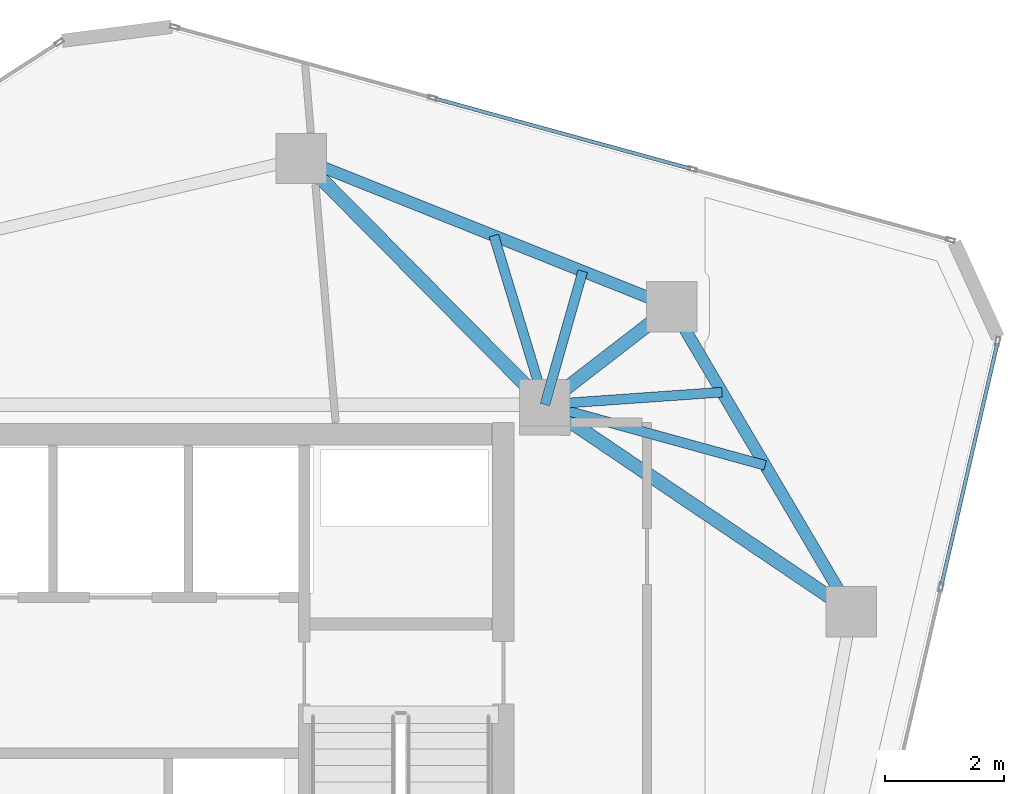
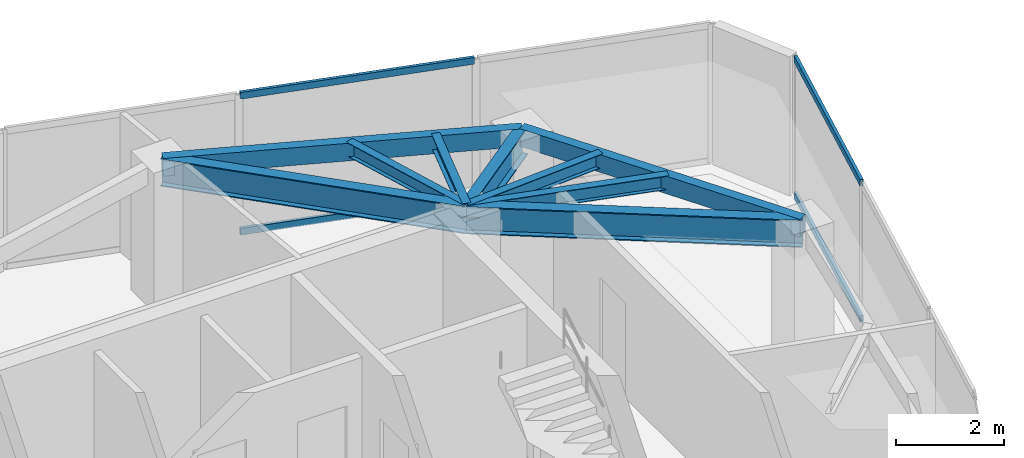
# One storey, part 13 of 20: 9 beams, 4 members, 2 elements without a shape of their own.
"""IFC4 building model written with IfcOpenShell, lengths in metres."""

import ifcopenshell
import ifcopenshell.guid

model = None  # the IFC model being written
_history = None  # IfcOwnerHistory: only IFC2X3 demands one
_inside = {}  # id of a spatial element -> (the spatial element, [elements in it])
_under = {}  # id of a project, library or spatial element -> (it, [spatial elements below it])
_declared = {}  # id of a project -> (the project, [libraries it declares])
_typed = {}  # id of a type object -> (the type object, [elements of that type])
_made_of = {}  # id of a material, layer set ... -> (it, [elements and type objects made of it])


def new_model(schema):
    """Start an empty IFC model of exactly this schema.

    Asked for "IFC4X3", IfcOpenShell would pick the latest addendum, in which some entities
    have other attributes; the version numbers below select the first issue.
    IFC2X3 requires an IfcOwnerHistory on every rooted entity: one is made here for all.
    """
    global model, _history
    if schema == "IFC4X3":
        model = ifcopenshell.file(schema_version=(4, 3, 0, 0))
    else:
        model = ifcopenshell.file(schema=schema)
    _inside.clear()
    _under.clear()
    _declared.clear()
    _typed.clear()
    _made_of.clear()
    _history = None
    if model.schema == "IFC2X3":
        org = make("IfcOrganization", Name="unknown")
        user = make(
            "IfcPersonAndOrganization",
            ThePerson=make("IfcPerson", FamilyName="unknown"),
            TheOrganization=org,
        )
        app = make(
            "IfcApplication",
            ApplicationDeveloper=org,
            Version="unknown",
            ApplicationFullName="unknown",
            ApplicationIdentifier="unknown",
        )
        _history = make(
            "IfcOwnerHistory",
            OwningUser=user,
            OwningApplication=app,
            ChangeAction="ADDED",
            CreationDate=0,
        )
    return model


def make(cls, **values):
    """One entity of the class cls with the attributes given. An attribute that is None is left unset."""
    return model.create_entity(
        cls, **{name: value for name, value in values.items() if value is not None}
    )


def rooted(cls, **values):
    """An entity with a GlobalId (a new one), such as an element, a storey or a relation."""
    return make(cls, GlobalId=ifcopenshell.guid.new(), OwnerHistory=_history, **values)


def si_unit(unit_type, name, prefix=None):
    """IfcSIUnit, for example si_unit("LENGTHUNIT", "METRE", prefix="MILLI")."""
    return make("IfcSIUnit", UnitType=unit_type, Prefix=prefix, Name=name)


def assignment(units):
    """IfcUnitAssignment: the units of a project."""
    return None if units is None else make("IfcUnitAssignment", Units=units)


def point(xyz):
    """IfcCartesianPoint."""
    return None if xyz is None else make("IfcCartesianPoint", Coordinates=xyz)


def direction(xyz):
    """IfcDirection."""
    return None if xyz is None else make("IfcDirection", DirectionRatios=xyz)


def frame(location, z_axis=None, x_axis=None):
    """IfcAxis2Placement3D, a coordinate frame: its origin and axes. An axis left out is left unset."""
    return make(
        "IfcAxis2Placement3D",
        Location=point(location),
        Axis=direction(z_axis),
        RefDirection=direction(x_axis),
    )


def frame_2d(location, x_axis=None):
    """IfcAxis2Placement2D, a coordinate frame in the plane: its origin and x axis."""
    return make(
        "IfcAxis2Placement2D", Location=point(location), RefDirection=direction(x_axis)
    )


def origin():
    """The frame at (0, 0, 0) with its axes left unset."""
    return frame((0.0, 0.0, 0.0))


def origin_2d():
    """The frame at (0, 0) in the plane with its x axis left unset."""
    return frame_2d((0.0, 0.0))


def place(relative_to, where):
    """IfcLocalPlacement: puts the frame where relative to a parent placement (None: the world)."""
    return make(
        "IfcLocalPlacement", PlacementRelTo=relative_to, RelativePlacement=where
    )


def context(
    kind, dimensions, precision=None, world=None, true_north=None, identifier=None
):
    """IfcGeometricRepresentationContext, for example the 3D "Model" context."""
    return make(
        "IfcGeometricRepresentationContext",
        ContextIdentifier=identifier,
        ContextType=kind,
        CoordinateSpaceDimension=dimensions,
        Precision=precision,
        WorldCoordinateSystem=world,
        TrueNorth=true_north,
    )


def subcontext(parent, identifier, kind, view, scale=None):
    """IfcGeometricRepresentationSubContext, for example "Body" below "Model"."""
    return make(
        "IfcGeometricRepresentationSubContext",
        ContextIdentifier=identifier,
        ContextType=kind,
        ParentContext=parent,
        TargetScale=scale,
        TargetView=view,
    )


def project(units=None, contexts=None):
    """IfcProject with its units and contexts."""
    return rooted(
        "IfcProject",
        Name="project",
        RepresentationContexts=contexts,
        UnitsInContext=assignment(units),
    )


def spatial(cls, under=None, at=None, **own):
    """A site, building, storey or space (cls), placed at a placement, below another one or the project."""
    s = rooted(cls, ObjectPlacement=at, **own)
    if under is not None:
        _under.setdefault(under.id(), (under, []))[1].append(s)
    return s


def profile(cls, at=None, kind="AREA", **sizes):
    """A parametric profile (cls). Its sizes go by their IFC names, for example OverallWidth=200.0."""
    return make(cls, ProfileType=kind, Position=at, **sizes)


def hollow_rectangle(**sizes):
    """IfcRectangleHollowProfileDef."""
    return profile("IfcRectangleHollowProfileDef", **sizes)


def i_section(**sizes):
    """IfcIShapeProfileDef."""
    return profile("IfcIShapeProfileDef", **sizes)


def extrude(swept, where, along, depth):
    """IfcExtrudedAreaSolid: the profile swept, set in the frame where, extruded along a direction by depth."""
    return make(
        "IfcExtrudedAreaSolid",
        SweptArea=swept,
        Position=where,
        ExtrudedDirection=direction(along),
        Depth=depth,
    )


def shape(context_of_items, identifier, shape_type, items):
    """IfcShapeRepresentation: the items that make up one representation, for example the "Body"."""
    return make(
        "IfcShapeRepresentation",
        ContextOfItems=context_of_items,
        RepresentationIdentifier=identifier,
        RepresentationType=shape_type,
        Items=items,
    )


def source(mapping_origin, context_of_items, identifier, shape_type, items):
    """IfcRepresentationMap: a shape defined once, which mapped items show again and again."""
    return make(
        "IfcRepresentationMap",
        MappingOrigin=mapping_origin,
        MappedRepresentation=shape(context_of_items, identifier, shape_type, items),
    )


def transform(
    local_origin,
    x_axis=None,
    y_axis=None,
    z_axis=None,
    scale=None,
    scale2=None,
    scale3=None,
    uniform=True,
):
    """IfcCartesianTransformationOperator3D, or its non-uniform kind. x_axis, y_axis, z_axis: its Axis1, 2, 3."""
    if uniform:
        return make(
            "IfcCartesianTransformationOperator3D",
            Axis1=direction(x_axis),
            Axis2=direction(y_axis),
            LocalOrigin=point(local_origin),
            Scale=scale,
            Axis3=direction(z_axis),
        )
    return make(
        "IfcCartesianTransformationOperator3DnonUniform",
        Axis1=direction(x_axis),
        Axis2=direction(y_axis),
        LocalOrigin=point(local_origin),
        Scale=scale,
        Axis3=direction(z_axis),
        Scale2=scale2,
        Scale3=scale3,
    )


def mapped(mapping_source, mapping_target):
    """IfcMappedItem: shows the shape of a source again, moved by a transform."""
    return make(
        "IfcMappedItem", MappingSource=mapping_source, MappingTarget=mapping_target
    )


def material(Name=None, Category=None):
    """IfcMaterial."""
    return make("IfcMaterial", Name=Name, Category=Category)


def layer(
    of_material, thickness, ventilated=None, Name=None, Category=None, Priority=None
):
    """IfcMaterialLayer: one layer of a wall or slab, of a material (None: an air gap)."""
    return make(
        "IfcMaterialLayer",
        Material=of_material,
        LayerThickness=thickness,
        IsVentilated=ventilated,
        Name=Name,
        Category=Category,
        Priority=Priority,
    )


def layer_set(layers, Name=None):
    """IfcMaterialLayerSet."""
    return make("IfcMaterialLayerSet", MaterialLayers=layers, LayerSetName=Name)


def material_profile(
    of_material, cross_section, Name=None, Category=None, Priority=None
):
    """IfcMaterialProfile: a cross section and its material."""
    return make(
        "IfcMaterialProfile",
        Name=Name,
        Material=of_material,
        Profile=cross_section,
        Priority=Priority,
        Category=Category,
    )


def profile_set(profiles, Name=None, composite=None):
    """IfcMaterialProfileSet."""
    return make(
        "IfcMaterialProfileSet",
        Name=Name,
        MaterialProfiles=profiles,
        CompositeProfile=composite,
    )


def made_of(thing, what):
    """Note that an element or type object is made of a material, layer set ...; save() writes the relation."""
    if what is not None:
        _made_of.setdefault(what.id(), (what, []))[1].append(thing)
    return thing


def type_object(cls, material=None, **own):
    """A type object (cls), such as IfcWallType, which elements share."""
    return made_of(rooted(cls, **own), material)


def type_shapes(of_type, sources):
    """Give a type object the sources (RepresentationMaps) that its elements show as mapped items."""
    of_type.RepresentationMaps = sources


def element(
    cls,
    number,
    at=None,
    inside=None,
    cuts=None,
    type_object=None,
    material=None,
    context=None,
    identifier="Body",
    shape_type=None,
    held_by="IfcProductDefinitionShape",
    body=None,
    shapes=None,
    **own,
):
    """One element of the class cls, such as IfcWall. Its Tag is "e" and its number.

    at: its placement. inside: the storey or other place that contains it. cuts: it is an
    opening in that element (IfcRelVoidsElement). A single representation is given by context,
    identifier, shape_type and body (its items); several are given by shapes. held_by: the class
    of the entity that holds the representations. save() writes the other relations.
    """
    e = rooted(cls, Tag="e%d" % number, ObjectPlacement=at, **own)
    if body is not None:
        shapes = [shape(context, identifier, shape_type, body)]
    if shapes is not None:
        e.Representation = make(held_by, Representations=shapes)
    if inside is not None:
        _inside.setdefault(inside.id(), (inside, []))[1].append(e)
    if cuts is not None:
        rooted(
            "IfcRelVoidsElement", RelatingBuildingElement=cuts, RelatedOpeningElement=e
        )
    if type_object is not None:
        _typed.setdefault(type_object.id(), (type_object, []))[1].append(e)
    return made_of(e, material)


def aggregate(whole, parts):
    """IfcRelAggregates: a whole, such as a stair, and the parts it consists of."""
    return rooted("IfcRelAggregates", RelatingObject=whole, RelatedObjects=parts)


def save(model, path):
    """Write the relations noted so far, then the file.

    IfcRelAggregates (storeys below a building ...), IfcRelContainedInSpatialStructure (elements
    in a storey), IfcRelDefinesByType, IfcRelAssociatesMaterial and IfcRelDeclares: one each for
    every whole, place, type object, material and project.
    """
    for whole, parts in _under.values():
        aggregate(whole, parts)
    for where, things in _inside.values():
        rooted(
            "IfcRelContainedInSpatialStructure",
            RelatedElements=things,
            RelatingStructure=where,
        )
    for kind, things in _typed.values():
        rooted("IfcRelDefinesByType", RelatedObjects=things, RelatingType=kind)
    for what, things in _made_of.values():
        rooted("IfcRelAssociatesMaterial", RelatedObjects=things, RelatingMaterial=what)
    for by, libraries in _declared.values():
        rooted("IfcRelDeclares", RelatingContext=by, RelatedDefinitions=libraries)
    model.write(path)


model = new_model("IFC4")

# Units and contexts
model_context = context("Model", 3, precision=1e-05, world=origin(), true_north=direction((0.0, 1.0)))
body_context = subcontext(model_context, "Body", "Model", "MODEL_VIEW")
ifc_project = project(units=[si_unit("LENGTHUNIT", "METRE"), si_unit("AREAUNIT", "SQUARE_METRE"), si_unit("VOLUMEUNIT", "CUBIC_METRE"), si_unit("PLANEANGLEUNIT", "RADIAN"), si_unit("MASSUNIT", "GRAM", prefix="KILO")], contexts=[model_context])

# Site, building, storey
site_placement = place(None, origin())
site = spatial("IfcSite", under=ifc_project, at=site_placement, CompositionType="ELEMENT")
building_placement = place(site_placement, origin())
building = spatial("IfcBuilding", under=site, at=building_placement, Name="Talar Marvaseh", CompositionType="ELEMENT")
storey_placement = place(building_placement, frame((0.0, 0.0, 247.60009765625)))
storey = spatial("IfcBuildingStorey", under=building, at=storey_placement, Name="L65", CompositionType="ELEMENT", Elevation=247.60009765625)

# Beams
ifc_material_1 = material(Name="Steel S355", Category="steel")
ifc_material_profile_1 = material_profile(ifc_material_1, hollow_rectangle(XDim=0.199951171875, YDim=0.39990234375, WallThickness=0.013916015625, at=origin_2d()), Name="RHS400x200x14")
ifc_profile_set_1 = profile_set([ifc_material_profile_1], Name="Steel S355")
beam_type_1 = type_object("IfcBeamType", Name="Zone 3 Perimeter Spandrel Beam RHS400x200x14", PredefinedType="SPANDREL", material=ifc_profile_set_1)
beam_1_placement = place(storey_placement, frame((29.18798828125, 41.052001953125, 2.93994140625), z_axis=(0.928426659475, -0.371515730456, 0.0), x_axis=(0.371515730456, 0.928426659475, 0.0)))
element("IfcBeam", 1, at=beam_1_placement, inside=storey, type_object=beam_type_1, Name="L65 Zone 3 Perimeter Spandrel Beam RHS400x200x14", PredefinedType="SPANDREL", context=body_context, shape_type="SweptSolid", body=[
    extrude(hollow_rectangle(XDim=0.199951171875, YDim=0.39990234375, WallThickness=0.013916015625, at=origin_2d()), origin(), (0.0, 0.0, 1.0), 6.73193359375),
])
beam_2_placement = place(storey_placement, frame((35.43798828125, 38.551025390625, 2.93994140625), z_axis=(0.507825587611, -0.861459907696, 0.0), x_axis=(0.861459907696, 0.507825587611, 0.0)))
element("IfcBeam", 2, at=beam_2_placement, inside=storey, type_object=beam_type_1, Name="L65 Zone 3 Perimeter Spandrel Beam RHS400x200x14", PredefinedType="SPANDREL", context=body_context, shape_type="SweptSolid", body=[
    extrude(hollow_rectangle(XDim=0.199951171875, YDim=0.39990234375, WallThickness=0.013916015625, at=origin_2d()), origin(), (0.0, 0.0, 1.0), 5.972412109375),
])
ifc_material_profile_2 = material_profile(ifc_material_1, i_section(OverallWidth=0.166015625, OverallDepth=0.31298828125, WebThickness=0.006591796875, FlangeThickness=0.01123046875, at=origin_2d()), Name="W310x45")
ifc_profile_set_2 = profile_set([ifc_material_profile_2], Name="Steel S355")
beam_type_2 = type_object("IfcBeamType", Name="Zone 3 Secondary Floor Joist W310x45", PredefinedType="JOIST", material=ifc_profile_set_2)
beam_3_placement = place(storey_placement, frame((32.43798828125, 39.75146484375, 2.9833984375), z_axis=(0.289377277289, -0.957215122837, 0.0), x_axis=(0.957215122837, 0.289377277289, 0.0)))
element("IfcBeam", 3, at=beam_3_placement, inside=storey, type_object=beam_type_2, Name="L65 Zone 3 Secondary Floor Joist W310x45", PredefinedType="JOIST", context=body_context, shape_type="SweptSolid", body=[
    extrude(i_section(OverallWidth=0.166015625, OverallDepth=0.31298828125, WebThickness=0.006591796875, FlangeThickness=0.01123046875, at=origin_2d()), origin(), (0.0, 0.0, 1.0), 2.97900390625),
])
beam_4_placement = place(storey_placement, frame((33.93798828125, 39.151123046875, 2.9833984375), z_axis=(-0.272639596879, -0.962116235293, 0.0), x_axis=(0.962116235293, -0.272639596879, 0.0)))
element("IfcBeam", 4, at=beam_4_placement, inside=storey, type_object=beam_type_2, Name="L65 Zone 3 Secondary Floor Joist W310x45", PredefinedType="JOIST", context=body_context, shape_type="SweptSolid", body=[
    extrude(i_section(OverallWidth=0.166015625, OverallDepth=0.31298828125, WebThickness=0.006591796875, FlangeThickness=0.01123046875, at=origin_2d()), origin(), (0.0, 0.0, 1.0), 2.33984375),
])
beam_5_placement = place(storey_placement, frame((36.287109375, 37.1103515625, 2.9833984375), z_axis=(-0.99752734531, -0.070279409208, 0.0), x_axis=(0.070279409208, -0.99752734531, 0.0)))
element("IfcBeam", 5, at=beam_5_placement, inside=storey, type_object=beam_type_2, Name="L65 Zone 3 Secondary Floor Joist W310x45", PredefinedType="JOIST", context=body_context, shape_type="SweptSolid", body=[
    extrude(i_section(OverallWidth=0.166015625, OverallDepth=0.31298828125, WebThickness=0.006591796875, FlangeThickness=0.01123046875, at=origin_2d()), origin(), (0.0, 0.0, 1.0), 2.994384765625),
])
beam_6_placement = place(storey_placement, frame((37.01513671875, 35.87548828125, 2.9833984375), z_axis=(-0.964021733175, 0.265823433818, 0.0), x_axis=(-0.265823433818, -0.964021733175, 0.0)))
element("IfcBeam", 6, at=beam_6_placement, inside=storey, type_object=beam_type_2, Name="L65 Zone 3 Secondary Floor Joist W310x45", PredefinedType="JOIST", context=body_context, shape_type="SweptSolid", body=[
    extrude(i_section(OverallWidth=0.166015625, OverallDepth=0.31298828125, WebThickness=0.006591796875, FlangeThickness=0.01123046875, at=origin_2d()), origin(), (0.0, 0.0, 1.0), 3.853759765625),
])
ifc_material_profile_3 = material_profile(ifc_material_1, i_section(OverallWidth=0.22998046875, OverallDepth=0.616943359375, WebThickness=0.01318359375, FlangeThickness=0.022216796875, at=origin_2d()), Name="W610x140")
ifc_profile_set_3 = profile_set([ifc_material_profile_3], Name="Steel S355")
beam_type_3 = type_object("IfcBeamType", Name="Zone 4 Radial Floor Girder W610x140", PredefinedType="BEAM", material=ifc_profile_set_3)
beam_7_placement = place(storey_placement, frame((29.18798828125, 41.052001953125, 2.831298828125), z_axis=(0.703672658083, -0.710524306598, 0.0), x_axis=(0.710524306598, 0.703672658083, 0.0)))
element("IfcBeam", 7, at=beam_7_placement, inside=storey, type_object=beam_type_3, Name="L65 Zone 4 Radial Floor Girder W610x140", PredefinedType="BEAM", context=body_context, shape_type="SweptSolid", body=[
    extrude(i_section(OverallWidth=0.22998046875, OverallDepth=0.616943359375, WebThickness=0.01318359375, FlangeThickness=0.022216796875, at=origin_2d()), origin(), (0.0, 0.0, 1.0), 5.84375),
])
beam_8_placement = place(storey_placement, frame((35.43798828125, 38.551025390625, 2.831298828125), z_axis=(-0.791449946636, -0.611233982996, 0.0), x_axis=(0.611233982996, -0.791449946636, 0.0)))
element("IfcBeam", 8, at=beam_8_placement, inside=storey, type_object=beam_type_3, Name="L65 Zone 4 Radial Floor Girder W610x140", PredefinedType="BEAM", context=body_context, shape_type="SweptSolid", body=[
    extrude(i_section(OverallWidth=0.22998046875, OverallDepth=0.616943359375, WebThickness=0.01318359375, FlangeThickness=0.022216796875, at=origin_2d()), origin(), (0.0, 0.0, 1.0), 2.701416015625),
])
beam_9_placement = place(storey_placement, frame((38.470947265625, 33.406005859375, 2.831298828125), z_axis=(-0.828585535277, 0.559862492698, 0.0), x_axis=(-0.559862492698, -0.828585535277, 0.0)))
element("IfcBeam", 9, at=beam_9_placement, inside=storey, type_object=beam_type_3, Name="L65 Zone 4 Radial Floor Girder W610x140", PredefinedType="BEAM", context=body_context, shape_type="SweptSolid", body=[
    extrude(i_section(OverallWidth=0.22998046875, OverallDepth=0.616943359375, WebThickness=0.01318359375, FlangeThickness=0.022216796875, at=origin_2d()), origin(), (0.0, 0.0, 1.0), 6.24072265625),
])

# Curtain wall, members
ifc_material_2 = material(Name="Architectural Aluminium", Category="aluminium")
ifc_layer = layer(ifc_material_2, 0.179931640625)
ifc_layer_set = layer_set([ifc_layer], Name="Architectural Aluminium")
curtain_wall_type = type_object("IfcCurtainWallType", Name="Unitised High-Wind Sky Curtain Wall Z4", PredefinedType="NOTDEFINED", material=ifc_layer_set)
curtain_wall_1_placement = place(storey_placement, origin())
curtain_wall_1 = element("IfcCurtainWall", 10, at=curtain_wall_1_placement, inside=storey, type_object=curtain_wall_type, Name="L65 Unitised High-Wind Sky Curtain Wall Z4", PredefinedType="NOTDEFINED")
ifc_material_profile_4 = material_profile(ifc_material_2, hollow_rectangle(XDim=0.06494140625, YDim=0.14990234375, WallThickness=0.00390625, at=origin_2d()), Name="RHS150x65x4")
ifc_profile_set_4 = profile_set([ifc_material_profile_4], Name="Architectural Aluminium")
member_type = type_object("IfcMemberType", Name="Unitised Curtain Wall Slim Transom RHS150x65x4", PredefinedType="USERDEFINED", material=ifc_profile_set_4)
shared_shape_1 = source(origin(), body_context, "Body", "SweptSolid", [
    extrude(hollow_rectangle(XDim=0.06494140625, YDim=0.14990234375, WallThickness=0.00390625, at=origin_2d()), origin(), (0.0, 0.0, 1.0), 4.479736328125),
])
member_1_placement = place(storey_placement, frame((31.438232421875, 42.06396484375, 0.032470703125), z_axis=(0.96434633109, -0.264643446384, 0.0), x_axis=(0.264643446384, 0.96434633109, 0.0)))
member_1 = element("IfcMember", 11, at=member_1_placement, type_object=member_type, Name="CW-Z4 transom 2.1", ObjectType="TRANSOM", PredefinedType="USERDEFINED", context=body_context, shape_type="MappedRepresentation", body=[
    mapped(shared_shape_1, transform((0.0, 0.0, 0.0), x_axis=(1.0, 0.0, 0.0), y_axis=(0.0, 1.0, 0.0), z_axis=(0.0, 0.0, 1.0), scale=1.0)),
])
member_2_placement = place(storey_placement, frame((31.438232421875, 42.06396484375, 3.107421875), z_axis=(0.96434633109, -0.264643446384, 0.0), x_axis=(0.264643446384, 0.96434633109, 0.0)))
member_2 = element("IfcMember", 12, at=member_2_placement, type_object=member_type, Name="CW-Z4 transom 2.2", ObjectType="TRANSOM", PredefinedType="USERDEFINED", context=body_context, shape_type="MappedRepresentation", body=[
    mapped(shared_shape_1, transform((0.0, 0.0, 0.0), x_axis=(1.0, 0.0, 0.0), y_axis=(0.0, 1.0, 0.0), z_axis=(0.0, 0.0, 1.0), scale=1.0)),
])
aggregate(curtain_wall_1, [member_1, member_2])

curtain_wall_2_placement = place(storey_placement, origin())
curtain_wall_2 = element("IfcCurtainWall", 13, at=curtain_wall_2_placement, inside=storey, type_object=curtain_wall_type, Name="L65 Unitised High-Wind Sky Curtain Wall Z4", PredefinedType="NOTDEFINED")
shared_shape_2 = source(origin(), body_context, "Body", "SweptSolid", [
    extrude(hollow_rectangle(XDim=0.06494140625, YDim=0.14990234375, WallThickness=0.00390625, at=origin_2d()), origin(), (0.0, 0.0, 1.0), 4.1884765625),
])
type_shapes(member_type, [shared_shape_1, shared_shape_2])
member_3_placement = place(storey_placement, frame((40.931640625, 37.933349609375, 0.032470703125), z_axis=(-0.225106402796, -0.974334186725, 0.0), x_axis=(0.974334186725, -0.225106402796, 0.0)))
member_3 = element("IfcMember", 14, at=member_3_placement, type_object=member_type, Name="CW-Z4 transom 1.1", ObjectType="TRANSOM", PredefinedType="USERDEFINED", context=body_context, shape_type="MappedRepresentation", body=[
    mapped(shared_shape_2, transform((0.0, 0.0, 0.0), x_axis=(1.0, 0.0, 0.0), y_axis=(0.0, 1.0, 0.0), z_axis=(0.0, 0.0, 1.0), scale=1.0)),
])
member_4_placement = place(storey_placement, frame((40.931640625, 37.933349609375, 3.107421875), z_axis=(-0.225106402796, -0.974334186725, 0.0), x_axis=(0.974334186725, -0.225106402796, 0.0)))
member_4 = element("IfcMember", 15, at=member_4_placement, type_object=member_type, Name="CW-Z4 transom 1.2", ObjectType="TRANSOM", PredefinedType="USERDEFINED", context=body_context, shape_type="MappedRepresentation", body=[
    mapped(shared_shape_2, transform((0.0, 0.0, 0.0), x_axis=(1.0, 0.0, 0.0), y_axis=(0.0, 1.0, 0.0), z_axis=(0.0, 0.0, 1.0), scale=1.0)),
])
aggregate(curtain_wall_2, [member_3, member_4])

save(model, "model.ifc")
